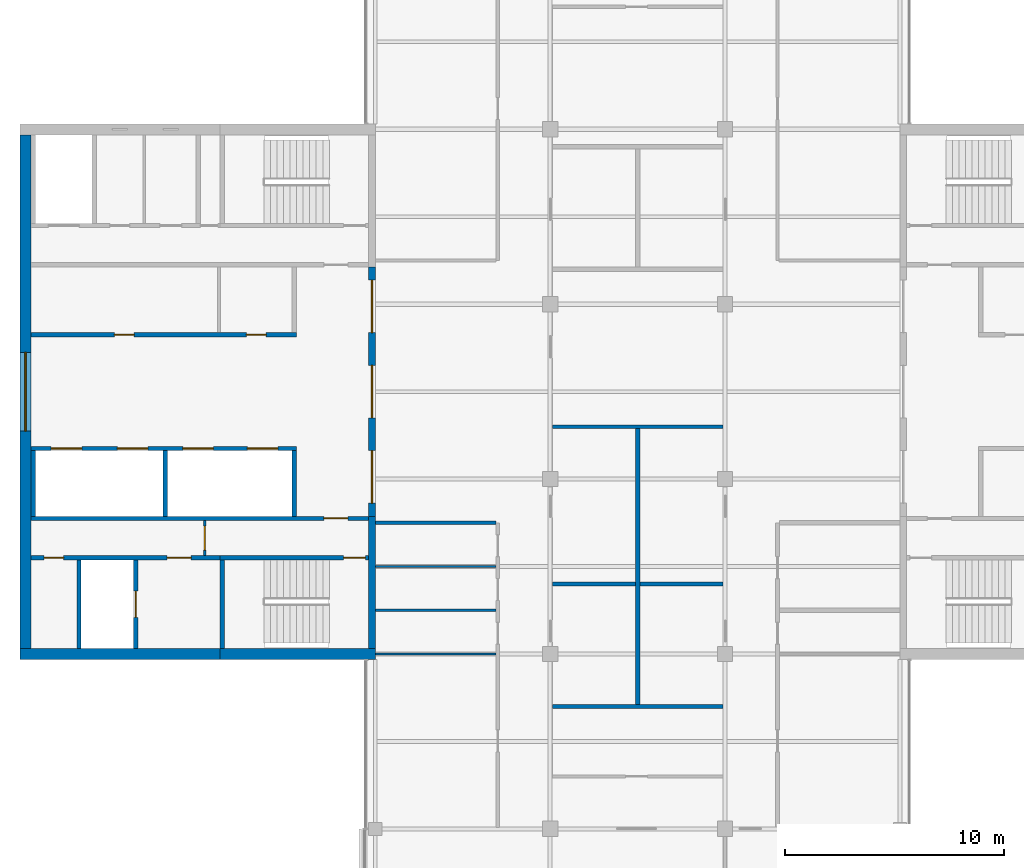
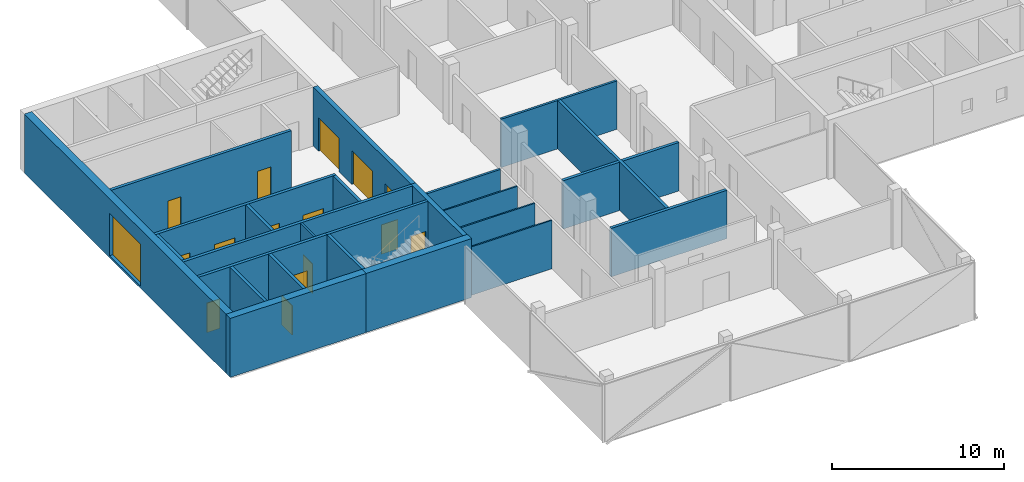
# One storey, part 9 of 16: 26 walls, 15 doors, 1 window, 16 openings.
"""IFC4 building model written with IfcOpenShell, lengths in metres."""

from ifc_helpers import new_model, si_unit, direction, frame, frame_2d, origin, place, context, subcontext, project, spatial, rectangle, extrude, material, layer, layer_set, constituent, constituent_set, type_object, element, fill, save


model = new_model("IFC4")

# Units and contexts
model_context = context("Model", 3, precision=1e-05, world=origin(), true_north=direction((0.0, 1.0)))
body_context = subcontext(model_context, "Body", "Model", "MODEL_VIEW")
ifc_project = project(units=[si_unit("LENGTHUNIT", "METRE"), si_unit("AREAUNIT", "SQUARE_METRE"), si_unit("VOLUMEUNIT", "CUBIC_METRE"), si_unit("PLANEANGLEUNIT", "RADIAN"), si_unit("MASSUNIT", "GRAM", prefix="KILO")], contexts=[model_context])

# Site, building, storey
site_placement = place(None, origin())
site = spatial("IfcSite", under=ifc_project, at=site_placement, CompositionType="ELEMENT")
building_placement = place(site_placement, origin())
building = spatial("IfcBuilding", under=site, at=building_placement, Name="Crosswind Convention Tower", CompositionType="ELEMENT")
storey_placement = place(building_placement, frame((0.0, 0.0, 291.300048828125)))
storey = spatial("IfcBuildingStorey", under=building, at=storey_placement, Name="L63", CompositionType="ELEMENT", Elevation=291.300048828125)

# Walls
ifc_material_1 = material(Name="Concrete blockwork", Category="masonry")
ifc_layer_1 = layer(ifc_material_1, 0.199951171875)
ifc_layer_set_1 = layer_set([ifc_layer_1], Name="COMPARTMENT WALL 200 BLOCKWORK")
wall_type_1 = type_object("IfcWallType", Name="COMPARTMENT WALL 200 BLOCKWORK", PredefinedType="SOLIDWALL", material=ifc_layer_set_1)
wall_1_placement = place(storey_placement, frame((125.0, 85.699951171875, 0.0), z_axis=(0.0, 0.0, 1.0), x_axis=(0.0, 1.0, 0.0)))
element("IfcWall", 1, at=wall_1_placement, inside=storey, type_object=wall_type_1, Name="Compartment wall WT42", PredefinedType="SOLIDWALL", context=body_context, shape_type="SweptSolid", body=[
    extrude(rectangle(XDim=12.625, YDim=0.199951171875, at=frame_2d((6.3125, 0.0))), origin(), (0.0, 0.0, 1.0), 3.44287109375),
])
wall_2_placement = place(storey_placement, frame((121.10009765625, 85.60009765625, 0.0), z_axis=(0.0, 0.0, 1.0), x_axis=(1.0, 0.0, 0.0)))
element("IfcWall", 2, at=wall_2_placement, inside=storey, type_object=wall_type_1, Name="Compartment wall WT42", PredefinedType="SOLIDWALL", context=body_context, shape_type="SweptSolid", body=[
    extrude(rectangle(XDim=7.7998046875, YDim=0.199951171875, at=frame_2d((3.89990234375, 0.0))), origin(), (0.0, 0.0, 1.0), 3.44287109375),
])
for number, where, z_axis, x_axis, name in (
    (3, (121.10009765625, 91.199951171875, 0.0), (0.0, 0.0, 1.0), (1.0, 0.0, 0.0), "Compartment wall WT42"),
    (4, (125.10009765625, 91.199951171875, 0.0), (0.0, 0.0, 1.0), (1.0, 0.0, 0.0), "Compartment wall WT42"),
):
    element("IfcWall", number, at=place(storey_placement, frame(where, z_axis=z_axis, x_axis=x_axis)), inside=storey, type_object=wall_type_1, Name=name, PredefinedType="SOLIDWALL", context=body_context, shape_type="SweptSolid", body=[
        extrude(rectangle(XDim=3.7998046875, YDim=0.199951171875, at=frame_2d((1.89990234375, 0.0))), origin(), (0.0, 0.0, 1.0), 3.44287109375),
    ])

# Wall, openings, doors
ifc_material_2 = material(Name="Concrete C50/60", Category="concrete")
ifc_layer_2 = layer(ifc_material_2, 0.300048828125)
ifc_layer_set_2 = layer_set([ifc_layer_2], Name="Concrete C50/60")
wall_type_2 = type_object("IfcWallType", Name="Concrete inner core wall 300", PredefinedType="SHEAR", material=ifc_layer_set_2)
wall_3_placement = place(storey_placement, frame((112.85009765625, 105.699951171875, 0.0), z_axis=(0.0, 0.0, 1.0), x_axis=(0.0, -1.0, 0.0)))
wall_3 = element("IfcWall", 5, at=wall_3_placement, inside=storey, type_object=wall_type_2, Name="Wall SCR W L63", PredefinedType="SHEAR", context=body_context, shape_type="SweptSolid", body=[
    extrude(rectangle(XDim=11.39990234375, YDim=0.300048828125, at=frame_2d((5.699951171875, 0.0))), origin(), (0.0, 0.0, 1.0), 4.199951171875),
])
opening_1_placement = place(wall_3_placement, frame((0.60009765625, 0.0, 0.0)))
opening_1 = element("IfcOpeningElement", 6, at=opening_1_placement, cuts=wall_3, Name="Opening D100", PredefinedType="OPENING", context=body_context, shape_type="SweptSolid", body=[
    extrude(rectangle(XDim=2.39990234375, YDim=2.39990234375, at=frame_2d((1.199951171875, 1.199951171875))), frame((0.0, 0.159912109375, 0.0), z_axis=(0.0, -1.0, 0.0), x_axis=(1.0, 0.0, 0.0)), (0.0, 0.0, 1.0), 0.320068359375),
])
opening_2_placement = place(wall_3_placement, frame((4.5, 0.0, 0.0)))
opening_2 = element("IfcOpeningElement", 7, at=opening_2_placement, cuts=wall_3, Name="Opening D100", PredefinedType="OPENING", context=body_context, shape_type="SweptSolid", body=[
    extrude(rectangle(XDim=2.39990234375, YDim=2.39990234375, at=frame_2d((1.199951171875, 1.199951171875))), frame((0.0, 0.159912109375, 0.0), z_axis=(0.0, -1.0, 0.0), x_axis=(1.0, 0.0, 0.0)), (0.0, 0.0, 1.0), 0.320068359375),
])
opening_3_placement = place(wall_3_placement, frame((8.39990234375, 0.0, 0.0)))
opening_3 = element("IfcOpeningElement", 8, at=opening_3_placement, cuts=wall_3, Name="Opening D100", PredefinedType="OPENING", context=body_context, shape_type="SweptSolid", body=[
    extrude(rectangle(XDim=2.39990234375, YDim=2.39990234375, at=frame_2d((1.199951171875, 1.199951171875))), frame((0.0, 0.159912109375, 0.0), z_axis=(0.0, -1.0, 0.0), x_axis=(1.0, 0.0, 0.0)), (0.0, 0.0, 1.0), 0.320068359375),
])
ifc_material_3 = material(Name="Steel fire door with glazed vision panels", Category="steel")
door_type_1 = type_object("IfcDoorType", Name="Fire-rated double door 2400x2400", OperationType="DOUBLE_DOOR_SINGLE_SWING", PredefinedType="DOOR", material=ifc_material_3)
door_1_placement = place(opening_1_placement, origin())
door_1 = element("IfcDoor", 9, at=door_1_placement, inside=storey, type_object=door_type_1, Name="Lobby door 1 L63", ObjectType="D100", OperationType="DOUBLE_DOOR_SINGLE_SWING", OverallHeight=2.39990234375, OverallWidth=2.39990234375, PredefinedType="DOOR", context=body_context, shape_type="SweptSolid", body=[
    extrude(rectangle(XDim=2.39990234375, YDim=2.39990234375, at=frame_2d((1.199951171875, 1.199951171875))), frame((0.0, 0.02490234375, 0.0), z_axis=(0.0, -1.0, 0.0), x_axis=(1.0, 0.0, 0.0)), (0.0, 0.0, 1.0), 0.050048828125),
])
fill(opening_1, door_1)
door_2_placement = place(opening_2_placement, origin())
door_2 = element("IfcDoor", 10, at=door_2_placement, inside=storey, type_object=door_type_1, Name="Lobby door 2 L63", ObjectType="D100", OperationType="DOUBLE_DOOR_SINGLE_SWING", OverallHeight=2.39990234375, OverallWidth=2.39990234375, PredefinedType="DOOR", context=body_context, shape_type="SweptSolid", body=[
    extrude(rectangle(XDim=2.39990234375, YDim=2.39990234375, at=frame_2d((1.199951171875, 1.199951171875))), frame((0.0, 0.02490234375, 0.0), z_axis=(0.0, -1.0, 0.0), x_axis=(1.0, 0.0, 0.0)), (0.0, 0.0, 1.0), 0.050048828125),
])
fill(opening_2, door_2)
door_3_placement = place(opening_3_placement, origin())
door_3 = element("IfcDoor", 11, at=door_3_placement, inside=storey, type_object=door_type_1, Name="Lobby door 3 L63", ObjectType="D100", OperationType="DOUBLE_DOOR_SINGLE_SWING", OverallHeight=2.39990234375, OverallWidth=2.39990234375, PredefinedType="DOOR", context=body_context, shape_type="SweptSolid", body=[
    extrude(rectangle(XDim=2.39990234375, YDim=2.39990234375, at=frame_2d((1.199951171875, 1.199951171875))), frame((0.0, 0.02490234375, 0.0), z_axis=(0.0, -1.0, 0.0), x_axis=(1.0, 0.0, 0.0)), (0.0, 0.0, 1.0), 0.050048828125),
])
fill(opening_3, door_3)

# Walls
wall_4_placement = place(storey_placement, frame((112.85009765625, 94.300048828125, 0.0), z_axis=(0.0, 0.0, 1.0), x_axis=(0.0, -1.0, 0.0)))
element("IfcWall", 12, at=wall_4_placement, inside=storey, type_object=wall_type_2, Name="Wall EP W L63", PredefinedType="SHEAR", context=body_context, shape_type="SweptSolid", body=[
    extrude(rectangle(XDim=6.050048828125, YDim=0.300048828125, at=frame_2d((3.02490234375, 0.0))), origin(), (0.0, 0.0, 1.0), 4.199951171875),
])
ifc_layer_3 = layer(ifc_material_2, 0.199951171875)
ifc_layer_set_3 = layer_set([ifc_layer_3], Name="Concrete C50/60")
wall_type_3 = type_object("IfcWallType", Name="Concrete shaft and stair wall 200", PredefinedType="SHEAR", material=ifc_layer_set_3)
for number, where, z_axis, x_axis, name in (
    (13, (109.300048828125, 97.300048828125, 0.0), (0.0, 0.0, 1.0), (0.0, -1.0, 0.0), "Wall RPEND W L63"),
    (14, (103.39990234375, 97.300048828125, 0.0), (0.0, 0.0, 1.0), (0.0, -1.0, 0.0), "Wall RPSEP W L63"),
    (15, (97.35009765625, 97.300048828125, 0.0), (0.0, 0.0, 1.0), (0.0, -1.0, 0.0), "Wall RPEAST W L63"),
):
    element("IfcWall", number, at=place(storey_placement, frame(where, z_axis=z_axis, x_axis=x_axis)), inside=storey, type_object=wall_type_3, Name=name, PredefinedType="SHEAR", context=body_context, shape_type="SweptSolid", body=[
        extrude(rectangle(XDim=3.0, YDim=0.199951171875, at=frame_2d((1.5, 0.0))), origin(), (0.0, 0.0, 1.0), 4.199951171875),
    ])

# Wall, openings, doors
wall_5_placement = place(storey_placement, frame((109.39990234375, 97.39990234375, 0.0), z_axis=(0.0, 0.0, 1.0), x_axis=(-1.0, 0.0, 0.0)))
wall_5 = element("IfcWall", 16, at=wall_5_placement, inside=storey, type_object=wall_type_3, Name="Wall RPFRONT W L63", PredefinedType="SHEAR", context=body_context, shape_type="SweptSolid", body=[
    extrude(rectangle(XDim=12.14990234375, YDim=0.199951171875, at=frame_2d((6.074951171875, 0.0))), origin(), (0.0, 0.0, 1.0), 4.199951171875),
])
opening_4_placement = place(wall_5_placement, frame((0.85009765625, 0.0, 0.0)))
opening_4 = element("IfcOpeningElement", 17, at=opening_4_placement, cuts=wall_5, Name="Opening LD2", PredefinedType="OPENING", context=body_context, shape_type="SweptSolid", body=[
    extrude(rectangle(XDim=1.39990234375, YDim=2.10009765625, at=frame_2d((0.699951171875, 1.050048828125))), frame((0.0, 0.10986328125, 0.0), z_axis=(0.0, -1.0, 0.0), x_axis=(1.0, 0.0, 0.0)), (0.0, 0.0, 1.0), 0.219970703125),
])
opening_5_placement = place(wall_5_placement, frame((3.800048828125, 0.0, 0.0)))
opening_5 = element("IfcOpeningElement", 18, at=opening_5_placement, cuts=wall_5, Name="Opening LD2", PredefinedType="OPENING", context=body_context, shape_type="SweptSolid", body=[
    extrude(rectangle(XDim=1.39990234375, YDim=2.10009765625, at=frame_2d((0.699951171875, 1.050048828125))), frame((0.0, 0.10986328125, 0.0), z_axis=(0.0, -1.0, 0.0), x_axis=(1.0, 0.0, 0.0)), (0.0, 0.0, 1.0), 0.219970703125),
])
opening_6_placement = place(wall_5_placement, frame((6.800048828125, 0.0, 0.0)))
opening_6 = element("IfcOpeningElement", 19, at=opening_6_placement, cuts=wall_5, Name="Opening LD2", PredefinedType="OPENING", context=body_context, shape_type="SweptSolid", body=[
    extrude(rectangle(XDim=1.39990234375, YDim=2.10009765625, at=frame_2d((0.699951171875, 1.050048828125))), frame((0.0, 0.10986328125, 0.0), z_axis=(0.0, -1.0, 0.0), x_axis=(1.0, 0.0, 0.0)), (0.0, 0.0, 1.0), 0.219970703125),
])
opening_7_placement = place(wall_5_placement, frame((9.824951171875, 0.0, 0.0)))
opening_7 = element("IfcOpeningElement", 20, at=opening_7_placement, cuts=wall_5, Name="Opening LD2", PredefinedType="OPENING", context=body_context, shape_type="SweptSolid", body=[
    extrude(rectangle(XDim=1.39990234375, YDim=2.10009765625, at=frame_2d((0.699951171875, 1.050048828125))), frame((0.0, 0.10986328125, 0.0), z_axis=(0.0, -1.0, 0.0), x_axis=(1.0, 0.0, 0.0)), (0.0, 0.0, 1.0), 0.219970703125),
])
ifc_material_4 = material(Name="Stainless steel", Category="steel")
door_type_2 = type_object("IfcDoorType", Name="Lift landing door 1400x2100", OperationType="DOUBLE_DOOR_SLIDING", PredefinedType="DOOR", material=ifc_material_4)
door_4_placement = place(opening_4_placement, origin())
door_4 = element("IfcDoor", 21, at=door_4_placement, inside=storey, type_object=door_type_2, Name="Landing door HR1 L63", ObjectType="LD2", OperationType="DOUBLE_DOOR_SLIDING", OverallHeight=2.10009765625, OverallWidth=1.39990234375, PredefinedType="DOOR", context=body_context, shape_type="SweptSolid", body=[
    extrude(rectangle(XDim=1.39990234375, YDim=2.10009765625, at=frame_2d((0.699951171875, 1.050048828125))), frame((0.0, 0.02490234375, 0.0), z_axis=(0.0, -1.0, 0.0), x_axis=(1.0, 0.0, 0.0)), (0.0, 0.0, 1.0), 0.050048828125),
])
fill(opening_4, door_4)
door_5_placement = place(opening_5_placement, origin())
door_5 = element("IfcDoor", 22, at=door_5_placement, inside=storey, type_object=door_type_2, Name="Landing door HR2 L63", ObjectType="LD2", OperationType="DOUBLE_DOOR_SLIDING", OverallHeight=2.10009765625, OverallWidth=1.39990234375, PredefinedType="DOOR", context=body_context, shape_type="SweptSolid", body=[
    extrude(rectangle(XDim=1.39990234375, YDim=2.10009765625, at=frame_2d((0.699951171875, 1.050048828125))), frame((0.0, 0.02490234375, 0.0), z_axis=(0.0, -1.0, 0.0), x_axis=(1.0, 0.0, 0.0)), (0.0, 0.0, 1.0), 0.050048828125),
])
fill(opening_5, door_5)
door_6_placement = place(opening_6_placement, origin())
door_6 = element("IfcDoor", 23, at=door_6_placement, inside=storey, type_object=door_type_2, Name="Landing door HR3 L63", ObjectType="LD2", OperationType="DOUBLE_DOOR_SLIDING", OverallHeight=2.10009765625, OverallWidth=1.39990234375, PredefinedType="DOOR", context=body_context, shape_type="SweptSolid", body=[
    extrude(rectangle(XDim=1.39990234375, YDim=2.10009765625, at=frame_2d((0.699951171875, 1.050048828125))), frame((0.0, 0.02490234375, 0.0), z_axis=(0.0, -1.0, 0.0), x_axis=(1.0, 0.0, 0.0)), (0.0, 0.0, 1.0), 0.050048828125),
])
fill(opening_6, door_6)
door_7_placement = place(opening_7_placement, origin())
door_7 = element("IfcDoor", 24, at=door_7_placement, inside=storey, type_object=door_type_2, Name="Landing door HR4 L63", ObjectType="LD2", OperationType="DOUBLE_DOOR_SLIDING", OverallHeight=2.10009765625, OverallWidth=1.39990234375, PredefinedType="DOOR", context=body_context, shape_type="SweptSolid", body=[
    extrude(rectangle(XDim=1.39990234375, YDim=2.10009765625, at=frame_2d((0.699951171875, 1.050048828125))), frame((0.0, 0.02490234375, 0.0), z_axis=(0.0, -1.0, 0.0), x_axis=(1.0, 0.0, 0.0)), (0.0, 0.0, 1.0), 0.050048828125),
])
fill(opening_7, door_7)

wall_6_placement = place(storey_placement, frame((109.39990234375, 102.60009765625, 0.0), z_axis=(0.0, 0.0, 1.0), x_axis=(-1.0, 0.0, 0.0)))
wall_6 = element("IfcWall", 25, at=wall_6_placement, inside=storey, type_object=wall_type_3, Name="Wall RMFRONT W L63", PredefinedType="SHEAR", context=body_context, shape_type="SweptSolid", body=[
    extrude(rectangle(XDim=12.14990234375, YDim=0.199951171875, at=frame_2d((6.074951171875, 0.0))), origin(), (0.0, 0.0, 1.0), 4.199951171875),
])
opening_8_placement = place(wall_6_placement, frame((1.391845703125, 0.0, 0.0)))
opening_8 = element("IfcOpeningElement", 26, at=opening_8_placement, cuts=wall_6, Name="Opening D106", PredefinedType="OPENING", context=body_context, shape_type="SweptSolid", body=[
    extrude(rectangle(XDim=0.89990234375, YDim=2.10009765625, at=frame_2d((0.449951171875, 1.050048828125))), frame((0.0, 0.10986328125, 0.0), z_axis=(0.0, -1.0, 0.0), x_axis=(1.0, 0.0, 0.0)), (0.0, 0.0, 1.0), 0.219970703125),
])
opening_9_placement = place(wall_6_placement, frame((7.42919921875, 0.0, 0.0)))
opening_9 = element("IfcOpeningElement", 27, at=opening_9_placement, cuts=wall_6, Name="Opening D106", PredefinedType="OPENING", context=body_context, shape_type="SweptSolid", body=[
    extrude(rectangle(XDim=0.89990234375, YDim=2.10009765625, at=frame_2d((0.449951171875, 1.050048828125))), frame((0.0, 0.10986328125, 0.0), z_axis=(0.0, -1.0, 0.0), x_axis=(1.0, 0.0, 0.0)), (0.0, 0.0, 1.0), 0.219970703125),
])
ifc_material_5 = material(Name="Timber door", Category="wood")
door_type_3 = type_object("IfcDoorType", Name="Single leaf door 900x2100", OperationType="NOTDEFINED", PredefinedType="DOOR", material=ifc_material_5)
door_8_placement = place(opening_8_placement, frame((0.89990234375, 0.0, 0.0), z_axis=(0.0, 0.0, 1.0), x_axis=(-1.0, 0.0, 0.0)))
door_8 = element("IfcDoor", 28, at=door_8_placement, inside=storey, type_object=door_type_3, Name="Door to storeroom L63", ObjectType="D106", OperationType="SINGLE_SWING_LEFT", OverallHeight=2.10009765625, OverallWidth=0.89990234375, PredefinedType="DOOR", context=body_context, shape_type="SweptSolid", body=[
    extrude(rectangle(XDim=0.89990234375, YDim=2.10009765625, at=frame_2d((0.449951171875, 1.050048828125))), frame((0.0, 0.02490234375, 0.0), z_axis=(0.0, -1.0, 0.0), x_axis=(1.0, 0.0, 0.0)), (0.0, 0.0, 1.0), 0.050048828125),
])
fill(opening_8, door_8)
door_9_placement = place(opening_9_placement, frame((0.89990234375, 0.0, 0.0), z_axis=(0.0, 0.0, 1.0), x_axis=(-1.0, 0.0, 0.0)))
door_9 = element("IfcDoor", 29, at=door_9_placement, inside=storey, type_object=door_type_3, Name="Door to tenant services room L63", ObjectType="D106", OperationType="SINGLE_SWING_LEFT", OverallHeight=2.10009765625, OverallWidth=0.89990234375, PredefinedType="DOOR", context=body_context, shape_type="SweptSolid", body=[
    extrude(rectangle(XDim=0.89990234375, YDim=2.10009765625, at=frame_2d((0.449951171875, 1.050048828125))), frame((0.0, 0.02490234375, 0.0), z_axis=(0.0, -1.0, 0.0), x_axis=(1.0, 0.0, 0.0)), (0.0, 0.0, 1.0), 0.050048828125),
])
fill(opening_9, door_9)

# Wall, opening, door
wall_7_placement = place(storey_placement, frame((112.699951171875, 94.199951171875, 0.0), z_axis=(0.0, 0.0, 1.0), x_axis=(-1.0, 0.0, 0.0)))
wall_7 = element("IfcWall", 30, at=wall_7_placement, inside=storey, type_object=wall_type_3, Name="Wall HP W L63", PredefinedType="SHEAR", context=body_context, shape_type="SweptSolid", body=[
    extrude(rectangle(XDim=15.449951171875, YDim=0.199951171875, at=frame_2d((7.72509765625, 0.0))), origin(), (0.0, 0.0, 1.0), 4.199951171875),
])
opening_10_placement = place(wall_7_placement, frame((0.949951171875, 0.0, 0.0)))
opening_10 = element("IfcOpeningElement", 31, at=opening_10_placement, cuts=wall_7, Name="Opening D104", PredefinedType="OPENING", context=body_context, shape_type="SweptSolid", body=[
    extrude(rectangle(XDim=1.10009765625, YDim=2.10009765625, at=frame_2d((0.550048828125, 1.050048828125))), frame((0.0, 0.10986328125, 0.0), z_axis=(0.0, -1.0, 0.0), x_axis=(1.0, 0.0, 0.0)), (0.0, 0.0, 1.0), 0.219970703125),
])
ifc_material_6 = material(Name="Steel fire door", Category="steel")
door_type_4 = type_object("IfcDoorType", Name="Fire-rated single door 1100x2100", OperationType="NOTDEFINED", PredefinedType="DOOR", material=ifc_material_6)
door_10_placement = place(opening_10_placement, origin())
door_10 = element("IfcDoor", 32, at=door_10_placement, inside=storey, type_object=door_type_4, Name="Corridor door L63", ObjectType="D104", OperationType="SINGLE_SWING_LEFT", OverallHeight=2.10009765625, OverallWidth=1.10009765625, PredefinedType="DOOR", context=body_context, shape_type="SweptSolid", body=[
    extrude(rectangle(XDim=1.10009765625, YDim=2.10009765625, at=frame_2d((0.550048828125, 1.050048828125))), frame((0.0, 0.02490234375, 0.0), z_axis=(0.0, -1.0, 0.0), x_axis=(1.0, 0.0, 0.0)), (0.0, 0.0, 1.0), 0.050048828125),
])
fill(opening_10, door_10)

# Wall
wall_8_placement = place(storey_placement, frame((106.0, 92.300048828125, 0.0), z_axis=(0.0, 0.0, 1.0), x_axis=(0.0, -1.0, 0.0)))
element("IfcWall", 33, at=wall_8_placement, inside=storey, type_object=wall_type_3, Name="Wall PSE W L63", PredefinedType="SHEAR", context=body_context, shape_type="SweptSolid", body=[
    extrude(rectangle(XDim=4.050048828125, YDim=0.199951171875, at=frame_2d((2.02490234375, 0.0))), origin(), (0.0, 0.0, 1.0), 4.199951171875),
])

# Wall, opening, door
wall_9_placement = place(storey_placement, frame((102.050048828125, 92.300048828125, 0.0), z_axis=(0.0, 0.0, 1.0), x_axis=(0.0, -1.0, 0.0)))
wall_9 = element("IfcWall", 34, at=wall_9_placement, inside=storey, type_object=wall_type_3, Name="Wall PFLW W L63", PredefinedType="SHEAR", context=body_context, shape_type="SweptSolid", body=[
    extrude(rectangle(XDim=4.050048828125, YDim=0.199951171875, at=frame_2d((2.02490234375, 0.0))), origin(), (0.0, 0.0, 1.0), 4.199951171875),
])
opening_11_placement = place(wall_9_placement, frame((1.425048828125, 0.0, 0.0)))
opening_11 = element("IfcOpeningElement", 35, at=opening_11_placement, cuts=wall_9, Name="Opening LD1", PredefinedType="OPENING", context=body_context, shape_type="SweptSolid", body=[
    extrude(rectangle(XDim=1.199951171875, YDim=2.10009765625, at=frame_2d((0.60009765625, 1.050048828125))), frame((0.0, 0.10986328125, 0.0), z_axis=(0.0, -1.0, 0.0), x_axis=(1.0, 0.0, 0.0)), (0.0, 0.0, 1.0), 0.219970703125),
])
door_type_5 = type_object("IfcDoorType", Name="Lift landing door 1200x2100", OperationType="DOUBLE_DOOR_SLIDING", PredefinedType="DOOR", material=ifc_material_4)
door_11_placement = place(opening_11_placement, origin())
door_11 = element("IfcDoor", 36, at=door_11_placement, inside=storey, type_object=door_type_5, Name="Landing door FF2 L63", ObjectType="LD1", OperationType="DOUBLE_DOOR_SLIDING", OverallHeight=2.10009765625, OverallWidth=1.199951171875, PredefinedType="DOOR", context=body_context, shape_type="SweptSolid", body=[
    extrude(rectangle(XDim=1.199951171875, YDim=2.10009765625, at=frame_2d((0.60009765625, 1.050048828125))), frame((0.0, 0.02490234375, 0.0), z_axis=(0.0, -1.0, 0.0), x_axis=(1.0, 0.0, 0.0)), (0.0, 0.0, 1.0), 0.050048828125),
])
fill(opening_11, door_11)

# Wall
wall_10_placement = place(storey_placement, frame((99.449951171875, 92.300048828125, 0.0), z_axis=(0.0, 0.0, 1.0), x_axis=(0.0, -1.0, 0.0)))
element("IfcWall", 37, at=wall_10_placement, inside=storey, type_object=wall_type_3, Name="Wall PFSE W L63", PredefinedType="SHEAR", context=body_context, shape_type="SweptSolid", body=[
    extrude(rectangle(XDim=4.050048828125, YDim=0.199951171875, at=frame_2d((2.02490234375, 0.0))), origin(), (0.0, 0.0, 1.0), 4.199951171875),
])

# Wall, opening, door
wall_11_placement = place(storey_placement, frame((112.699951171875, 92.39990234375, 0.0), z_axis=(0.0, 0.0, 1.0), x_axis=(-1.0, 0.0, 0.0)))
wall_11 = element("IfcWall", 38, at=wall_11_placement, inside=storey, type_object=wall_type_3, Name="Wall PCW W L63", PredefinedType="SHEAR", context=body_context, shape_type="SweptSolid", body=[
    extrude(rectangle(XDim=6.800048828125, YDim=0.199951171875, at=frame_2d((3.39990234375, 0.0))), origin(), (0.0, 0.0, 1.0), 4.199951171875),
])
opening_12_placement = place(wall_11_placement, frame((0.14990234375, 0.0, 0.0)))
opening_12 = element("IfcOpeningElement", 39, at=opening_12_placement, cuts=wall_11, Name="Opening D103", PredefinedType="OPENING", context=body_context, shape_type="SweptSolid", body=[
    extrude(rectangle(XDim=1.0, YDim=2.10009765625, at=frame_2d((0.5, 1.050048828125))), frame((0.0, 0.10986328125, 0.0), z_axis=(0.0, -1.0, 0.0), x_axis=(1.0, 0.0, 0.0)), (0.0, 0.0, 1.0), 0.219970703125),
])
door_type_6 = type_object("IfcDoorType", Name="Fire-rated single door 1000x2100", OperationType="NOTDEFINED", PredefinedType="DOOR", material=ifc_material_6)
door_12_placement = place(opening_12_placement, origin())
door_12 = element("IfcDoor", 40, at=door_12_placement, inside=storey, type_object=door_type_6, Name="Stair ST3 door L63", ObjectType="D103", OperationType="SINGLE_SWING_LEFT", OverallHeight=2.10009765625, OverallWidth=1.0, PredefinedType="DOOR", context=body_context, shape_type="SweptSolid", body=[
    extrude(rectangle(XDim=1.0, YDim=2.10009765625, at=frame_2d((0.5, 1.050048828125))), frame((0.0, 0.02490234375, 0.0), z_axis=(0.0, -1.0, 0.0), x_axis=(1.0, 0.0, 0.0)), (0.0, 0.0, 1.0), 0.050048828125),
])
fill(opening_12, door_12)

# Wall, openings, doors
wall_12_placement = place(storey_placement, frame((105.89990234375, 92.39990234375, 0.0), z_axis=(0.0, 0.0, 1.0), x_axis=(-1.0, 0.0, 0.0)))
wall_12 = element("IfcWall", 41, at=wall_12_placement, inside=storey, type_object=wall_type_3, Name="Wall PCX W L63", PredefinedType="SHEAR", context=body_context, shape_type="SweptSolid", body=[
    extrude(rectangle(XDim=8.64990234375, YDim=0.199951171875, at=frame_2d((4.324951171875, 0.0))), origin(), (0.0, 0.0, 1.0), 4.199951171875),
])
opening_13_placement = place(wall_12_placement, frame((1.324951171875, 0.0, 0.0)))
opening_13 = element("IfcOpeningElement", 42, at=opening_13_placement, cuts=wall_12, Name="Opening D104", PredefinedType="OPENING", context=body_context, shape_type="SweptSolid", body=[
    extrude(rectangle(XDim=1.10009765625, YDim=2.10009765625, at=frame_2d((0.550048828125, 1.050048828125))), frame((0.0, 0.10986328125, 0.0), z_axis=(0.0, -1.0, 0.0), x_axis=(1.0, 0.0, 0.0)), (0.0, 0.0, 1.0), 0.219970703125),
])
opening_14_placement = place(wall_12_placement, frame((7.14990234375, 0.0, 0.0)))
opening_14 = element("IfcOpeningElement", 43, at=opening_14_placement, cuts=wall_12, Name="Opening D106", PredefinedType="OPENING", context=body_context, shape_type="SweptSolid", body=[
    extrude(rectangle(XDim=0.89990234375, YDim=2.10009765625, at=frame_2d((0.449951171875, 1.050048828125))), frame((0.0, 0.10986328125, 0.0), z_axis=(0.0, -1.0, 0.0), x_axis=(1.0, 0.0, 0.0)), (0.0, 0.0, 1.0), 0.219970703125),
])
door_13_placement = place(opening_13_placement, origin())
door_13 = element("IfcDoor", 44, at=door_13_placement, inside=storey, type_object=door_type_4, Name="Fire-fighting lobby FF2 door L63", ObjectType="D104", OperationType="SINGLE_SWING_RIGHT", OverallHeight=2.10009765625, OverallWidth=1.10009765625, PredefinedType="DOOR", context=body_context, shape_type="SweptSolid", body=[
    extrude(rectangle(XDim=1.10009765625, YDim=2.10009765625, at=frame_2d((0.550048828125, 1.050048828125))), frame((0.0, 0.02490234375, 0.0), z_axis=(0.0, -1.0, 0.0), x_axis=(1.0, 0.0, 0.0)), (0.0, 0.0, 1.0), 0.050048828125),
])
fill(opening_13, door_13)
door_14_placement = place(opening_14_placement, origin())
door_14 = element("IfcDoor", 45, at=door_14_placement, inside=storey, type_object=door_type_3, Name="Door to electrical room L63", ObjectType="D106", OperationType="SINGLE_SWING_RIGHT", OverallHeight=2.10009765625, OverallWidth=0.89990234375, PredefinedType="DOOR", context=body_context, shape_type="SweptSolid", body=[
    extrude(rectangle(XDim=0.89990234375, YDim=2.10009765625, at=frame_2d((0.449951171875, 1.050048828125))), frame((0.0, 0.02490234375, 0.0), z_axis=(0.0, -1.0, 0.0), x_axis=(1.0, 0.0, 0.0)), (0.0, 0.0, 1.0), 0.050048828125),
])
fill(opening_14, door_14)

# Wall, opening, door
ifc_material_7 = material(Name="Gypsum plasterboard partition", Category="gypsum")
ifc_layer_4 = layer(ifc_material_7, 0.125)
ifc_layer_set_4 = layer_set([ifc_layer_4], Name="Drywall partition wall 125")
wall_type_4 = type_object("IfcWallType", Name="Drywall partition wall 125", PredefinedType="PARTITIONING", material=ifc_layer_set_4)
wall_13_placement = place(storey_placement, frame((105.199951171875, 94.10009765625, 0.0), z_axis=(0.0, 0.0, 1.0), x_axis=(0.0, -1.0, 0.0)))
wall_13 = element("IfcWall", 46, at=wall_13_placement, inside=storey, type_object=wall_type_4, Name="Wall PXC1 W L63", PredefinedType="PARTITIONING", context=body_context, shape_type="SweptSolid", body=[
    extrude(rectangle(XDim=1.60009765625, YDim=0.125, at=frame_2d((0.800048828125, 0.0))), origin(), (0.0, 0.0, 1.0), 4.199951171875),
])
opening_15_placement = place(wall_13_placement, frame((0.25, 0.0, 0.0)))
opening_15 = element("IfcOpeningElement", 47, at=opening_15_placement, cuts=wall_13, Name="Opening D104", PredefinedType="OPENING", context=body_context, shape_type="SweptSolid", body=[
    extrude(rectangle(XDim=1.10009765625, YDim=2.10009765625, at=frame_2d((0.550048828125, 1.050048828125))), frame((0.0, 0.072509765625, 0.0), z_axis=(0.0, -1.0, 0.0), x_axis=(1.0, 0.0, 0.0)), (0.0, 0.0, 1.0), 0.14501953125),
])
door_15_placement = place(opening_15_placement, origin())
door_15 = element("IfcDoor", 48, at=door_15_placement, inside=storey, type_object=door_type_4, Name="Corridor smoke door L63", ObjectType="D104", OperationType="SINGLE_SWING_RIGHT", OverallHeight=2.10009765625, OverallWidth=1.10009765625, PredefinedType="DOOR", context=body_context, shape_type="SweptSolid", body=[
    extrude(rectangle(XDim=1.10009765625, YDim=2.10009765625, at=frame_2d((0.550048828125, 1.050048828125))), frame((0.0, 0.02490234375, 0.0), z_axis=(0.0, -1.0, 0.0), x_axis=(1.0, 0.0, 0.0)), (0.0, 0.0, 1.0), 0.050048828125),
])
fill(opening_15, door_15)

# Walls
ifc_material_8 = material(Name="Plasterboard partition", Category="gypsum")
ifc_layer_5 = layer(ifc_material_8, 0.10009765625)
ifc_layer_set_5 = layer_set([ifc_layer_5], Name="PARTITION 100 METAL STUD")
wall_type_5 = type_object("IfcWallType", Name="PARTITION 100 METAL STUD", PredefinedType="PARTITIONING", material=ifc_layer_set_5)
for number, where, z_axis, x_axis, name in (
    (49, (113.0, 88.0, 0.0), (0.0, 0.0, 1.0), (1.0, 0.0, 0.0), "Partition wall WT40"),
    (50, (113.0, 90.0, 0.0), (0.0, 0.0, 1.0), (1.0, 0.0, 0.0), "Partition wall WT40"),
    (51, (113.0, 92.0, 0.0), (0.0, 0.0, 1.0), (1.0, 0.0, 0.0), "Partition wall WT40"),
):
    element("IfcWall", number, at=place(storey_placement, frame(where, z_axis=z_axis, x_axis=x_axis)), inside=storey, type_object=wall_type_5, Name=name, PredefinedType="PARTITIONING", context=body_context, shape_type="SweptSolid", body=[
        extrude(rectangle(XDim=5.52490234375, YDim=0.10009765625, at=frame_2d((2.762451171875, 0.0))), origin(), (0.0, 0.0, 1.0), 3.44287109375),
    ])
ifc_material_9 = material(Name="Fire-board partition with mineral wool", Category="gypsum")
ifc_layer_6 = layer(ifc_material_9, 0.14990234375)
ifc_layer_set_6 = layer_set([ifc_layer_6], Name="TENANCY WALL 150 TWO-HOUR BOARD")
wall_type_6 = type_object("IfcWallType", Name="TENANCY WALL 150 TWO-HOUR BOARD", PredefinedType="PARTITIONING", material=ifc_layer_set_6)
wall_14_placement = place(storey_placement, frame((113.0, 94.0, 0.0), z_axis=(0.0, 0.0, 1.0), x_axis=(1.0, 0.0, 0.0)))
element("IfcWall", 52, at=wall_14_placement, inside=storey, type_object=wall_type_6, Name="Tenancy wall WT41", PredefinedType="PARTITIONING", context=body_context, shape_type="SweptSolid", body=[
    extrude(rectangle(XDim=5.52490234375, YDim=0.14990234375, at=frame_2d((2.762451171875, 0.0))), origin(), (0.0, 0.0, 1.0), 3.44287109375),
])
wall_15_placement = place(storey_placement, frame((121.10009765625, 98.39990234375, 0.0), z_axis=(0.0, 0.0, 1.0), x_axis=(1.0, 0.0, 0.0)))
element("IfcWall", 53, at=wall_15_placement, inside=storey, type_object=wall_type_6, Name="Tenancy wall WT41", PredefinedType="PARTITIONING", context=body_context, shape_type="SweptSolid", body=[
    extrude(rectangle(XDim=7.7998046875, YDim=0.14990234375, at=frame_2d((3.89990234375, 0.0))), origin(), (0.0, 0.0, 1.0), 3.44287109375),
])
ifc_material_10 = material(Name="Concrete C60/75", Category="concrete")
ifc_constituent_1 = constituent(ifc_material_10, Name="Structure")
ifc_material_11 = material(Name="Terracotta rainscreen", Category="ceramic")
ifc_constituent_2 = constituent(ifc_material_11, Name="Facing")
ifc_constituent_set = constituent_set(constituents=[ifc_constituent_1, ifc_constituent_2], Name="Concrete C60/75, Terracotta rainscreen")
wall_type_7 = type_object("IfcWallType", Name="Terracotta rainscreen on concrete core wall 500", PredefinedType="SHEAR", material=ifc_constituent_set)
wall_16_placement = place(storey_placement, frame((113.0, 88.0, 0.0), z_axis=(0.0, 0.0, 1.0), x_axis=(-1.0, 0.0, 0.0)))
element("IfcWall", 54, at=wall_16_placement, inside=storey, type_object=wall_type_7, Name="Wall N1 W L63", PredefinedType="SHEAR", context=body_context, shape_type="SweptSolid", body=[
    extrude(rectangle(XDim=7.10009765625, YDim=0.5, at=frame_2d((3.550048828125, 0.0))), origin(), (0.0, 0.0, 1.0), 4.199951171875),
])
wall_17_placement = place(storey_placement, frame((105.89990234375, 88.0, 0.0), z_axis=(0.0, 0.0, 1.0), x_axis=(-1.0, 0.0, 0.0)))
element("IfcWall", 55, at=wall_17_placement, inside=storey, type_object=wall_type_7, Name="Wall N2 W L63", PredefinedType="SHEAR", context=body_context, shape_type="SweptSolid", body=[
    extrude(rectangle(XDim=9.14990234375, YDim=0.5, at=frame_2d((4.574951171875, 0.0))), origin(), (0.0, 0.0, 1.0), 4.199951171875),
])

# Wall, opening, window
wall_18_placement = place(storey_placement, frame((97.0, 111.75, 0.0), z_axis=(0.0, 0.0, 1.0), x_axis=(0.0, -1.0, 0.0)))
wall_18 = element("IfcWall", 56, at=wall_18_placement, inside=storey, type_object=wall_type_7, Name="Wall O W L63", PredefinedType="SHEAR", context=body_context, shape_type="SweptSolid", body=[
    extrude(rectangle(XDim=23.5, YDim=0.5, at=frame_2d((11.75, 0.0))), origin(), (0.0, 0.0, 1.0), 4.199951171875),
])
opening_16_placement = place(wall_18_placement, frame((9.949951171875, 0.0, 0.14990234375)))
opening_16 = element("IfcOpeningElement", 57, at=opening_16_placement, cuts=wall_18, Name="Opening W1", PredefinedType="OPENING", context=body_context, shape_type="SweptSolid", body=[
    extrude(rectangle(XDim=3.60009765625, YDim=3.0, at=frame_2d((1.800048828125, 1.5))), frame((0.0, 0.260009765625, 0.0), z_axis=(0.0, -1.0, 0.0), x_axis=(1.0, 0.0, 0.0)), (0.0, 0.0, 1.0), 0.52001953125),
])
ifc_material_12 = material(Name="Clear laminated glass in aluminium frame", Category="aluminium")
window_type = type_object("IfcWindowType", Name="Lobby end window 3600x3000", PartitioningType="SINGLE_PANEL", PredefinedType="WINDOW", material=ifc_material_12)
window_placement = place(opening_16_placement, origin())
window = element("IfcWindow", 58, at=window_placement, inside=storey, type_object=window_type, Name="Lobby end window L63", ObjectType="W1", OverallHeight=3.0, OverallWidth=3.60009765625, PartitioningType="SINGLE_PANEL", PredefinedType="WINDOW", context=body_context, shape_type="SweptSolid", body=[
    extrude(rectangle(XDim=3.60009765625, YDim=3.0, at=frame_2d((1.800048828125, 1.5))), frame((0.0, 0.030029296875, 0.0), z_axis=(0.0, -1.0, 0.0), x_axis=(1.0, 0.0, 0.0)), (0.0, 0.0, 1.0), 0.06005859375),
])
fill(opening_16, window)

save(model, "model.ifc")
